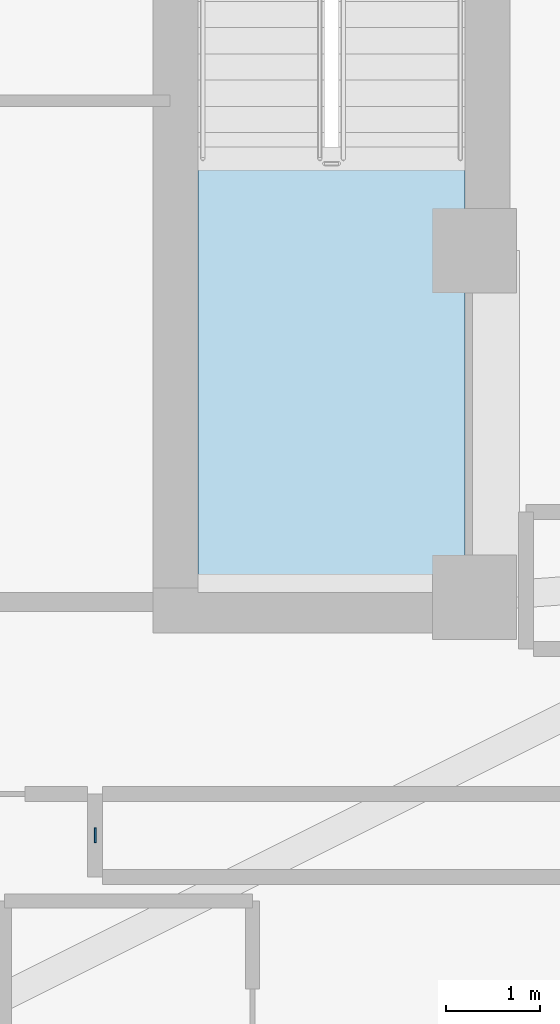
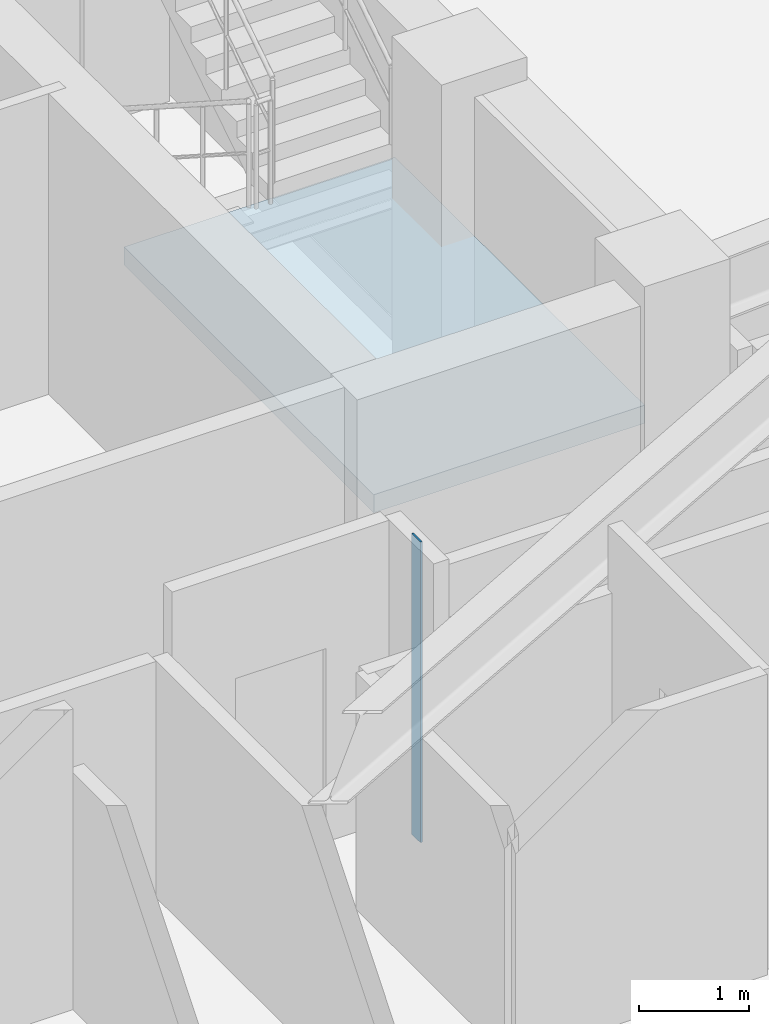
# One storey, part 2 of 12: 1 plate, 1 slab, 1 element without a shape of its own.
"""IFC4 building model written with IfcOpenShell, lengths in metres."""

from ifc_helpers import new_model, si_unit, direction, frame, origin, origin_2d, place, context, subcontext, project, spatial, polyline, rectangle, outline, extrude, material, layer, layer_set, type_object, element, aggregate, save


model = new_model("IFC4")

# Units and contexts
model_context = context("Model", 3, precision=1e-05, world=origin(), true_north=direction((0.0, 1.0)))
body_context = subcontext(model_context, "Body", "Model", "MODEL_VIEW")
ifc_project = project(units=[si_unit("LENGTHUNIT", "METRE"), si_unit("AREAUNIT", "SQUARE_METRE"), si_unit("VOLUMEUNIT", "CUBIC_METRE"), si_unit("PLANEANGLEUNIT", "RADIAN"), si_unit("MASSUNIT", "GRAM", prefix="KILO")], contexts=[model_context])

# Site, building, storey
site_placement = place(None, origin())
site = spatial("IfcSite", under=ifc_project, at=site_placement, CompositionType="ELEMENT")
building_placement = place(site_placement, origin())
building = spatial("IfcBuilding", under=site, at=building_placement, Name="Miruveldt Soraemaru", CompositionType="ELEMENT")
storey_placement = place(building_placement, frame((0.0, 0.0, 216.0)))
storey = spatial("IfcBuildingStorey", under=building, at=storey_placement, Name="L59", CompositionType="ELEMENT", Elevation=216.0)

# Plate
ifc_material_1 = material(Name="Anodised aluminium EN AW-6063 T6", Category="aluminium")
ifc_layer_1 = layer(ifc_material_1, 0.02001953125, Name="Anodised aluminium EN AW-6063 T6", Category="aluminium")
ifc_layer_set_1 = layer_set([ifc_layer_1], Name="Anodised aluminium EN AW-6063 T6")
plate_type = type_object("IfcPlateType", Name="PLT-PART-TRIM", PredefinedType="SHEET", material=ifc_layer_set_1)
plate_placement = place(storey_placement, frame((48.449951171875, 32.9580078125, 0.0), z_axis=(0.0, 0.0, 1.0), x_axis=(0.0, 1.0, 0.0)))
element("IfcPlate", 1, at=plate_placement, inside=storey, type_object=plate_type, Name="L59 Partition Step Corner Trim Plate 040", PredefinedType="SHEET", context=body_context, shape_type="SweptSolid", body=[
    extrude(rectangle(XDim=0.159912109375, YDim=0.02001953125, at=origin_2d()), origin(), (0.0, 0.0, 1.0), 3.344970703125),
])

# Stair, slab
ifc_material_2 = material(Name="Concrete C40/50 (40 MPa)", Category="concrete")
stair_type = type_object("IfcStairType", Name="STAIR-DL-360", PredefinedType="HALF_TURN_STAIR", material=ifc_material_2)
stair_placement = place(storey_placement, origin())
stair = element("IfcStair", 2, at=stair_placement, inside=storey, type_object=stair_type, Name="L59 Protected Exit Stair ST-2", PredefinedType="HALF_TURN_STAIR")
ifc_layer_2 = layer(ifc_material_2, 0.199951171875, Name="Concrete C40/50 (40 MPa)", Category="concrete")
ifc_layer_set_2 = layer_set([ifc_layer_2], Name="Concrete C40/50 (40 MPa)")
slab_type = type_object("IfcSlabType", Name="SLAB-LAND-200", PredefinedType="LANDING", material=ifc_layer_set_2)
slab_placement = place(storey_placement, frame((0.0, 0.0, 1.60009765625)))
slab = element("IfcSlab", 3, at=slab_placement, type_object=slab_type, Name="ST-2 landing 1", PredefinedType="LANDING", context=body_context, shape_type="SweptSolid", body=[
    extrude(outline(polyline([(49.550048828125, 40.197998046875), (49.550048828125, 35.64990234375), (52.39990234375, 35.64990234375), (52.39990234375, 40.197998046875), (49.550048828125, 40.197998046875)])), origin(), (0.0, 0.0, 1.0), 0.199951171875),
])
aggregate(stair, [slab])

save(model, "model.ifc")
